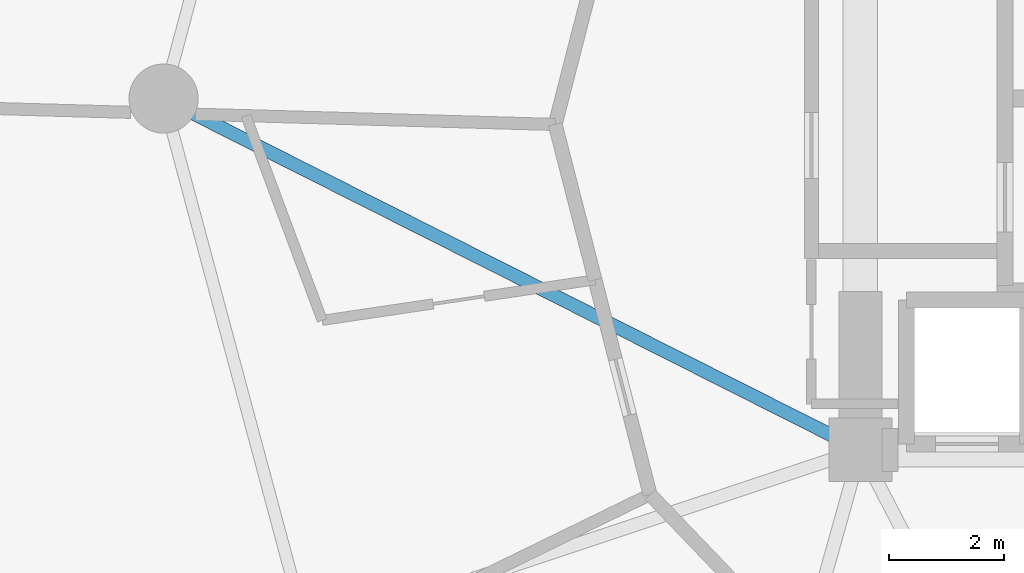
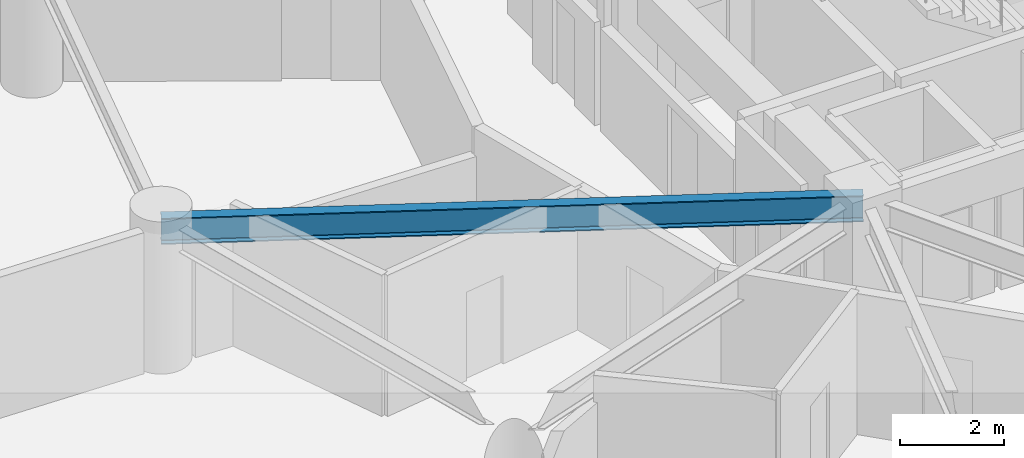
# One storey, part 7 of 25: 1 beam.
"""IFC4 building model written with IfcOpenShell, lengths in metres."""

from ifc_helpers import new_model, si_unit, direction, frame, origin, origin_2d, place, context, subcontext, project, spatial, i_section, extrude, material, material_profile, profile_set, type_object, element, save


model = new_model("IFC4")

# Units and contexts
model_context = context("Model", 3, precision=1e-05, world=origin(), true_north=direction((0.0, 1.0)))
body_context = subcontext(model_context, "Body", "Model", "MODEL_VIEW")
ifc_project = project(units=[si_unit("LENGTHUNIT", "METRE"), si_unit("AREAUNIT", "SQUARE_METRE"), si_unit("VOLUMEUNIT", "CUBIC_METRE"), si_unit("PLANEANGLEUNIT", "RADIAN"), si_unit("MASSUNIT", "GRAM", prefix="KILO")], contexts=[model_context])

# Site, building, storey
site_placement = place(None, origin())
site = spatial("IfcSite", under=ifc_project, at=site_placement, CompositionType="ELEMENT")
building_placement = place(site_placement, origin())
building = spatial("IfcBuilding", under=site, at=building_placement, Name="Solvirekh Grand Hotel", CompositionType="ELEMENT")
storey_placement = place(building_placement, frame((0.0, 0.0, 60.800048828125)))
storey = spatial("IfcBuildingStorey", under=building, at=storey_placement, Name="L14", CompositionType="ELEMENT", Elevation=60.800048828125)

# Beam
ifc_material = material(Name="Steel S355", Category="steel")
ifc_material_profile = material_profile(ifc_material, i_section(OverallWidth=0.22998046875, OverallDepth=0.615966796875, WebThickness=0.013916015625, FlangeThickness=0.02392578125, FilletRadius=0.014892578125, at=origin_2d()), Name="W610X174")
ifc_profile_set = profile_set([ifc_material_profile], Name="Steel S355")
beam_type = type_object("IfcBeamType", Name="Beam_Primary_W610H", PredefinedType="BEAM", material=ifc_profile_set)
beam_placement = place(storey_placement, frame((-6.5, -6.10009765625, 3.031982421875), z_axis=(-0.892944939011, 0.450165898191, 0.0), x_axis=(-0.450165898191, -0.892944939011, 0.0)))
element("IfcBeam", 1, at=beam_placement, inside=storey, type_object=beam_type, Name="L14 radial floor beam R07", PredefinedType="BEAM", context=body_context, shape_type="SweptSolid", body=[
    extrude(i_section(OverallWidth=0.22998046875, OverallDepth=0.615966796875, WebThickness=0.013916015625, FlangeThickness=0.02392578125, FilletRadius=0.014892578125, at=origin_2d()), origin(), (0.0, 0.0, 1.0), 13.55078125),
])

save(model, "model.ifc")
